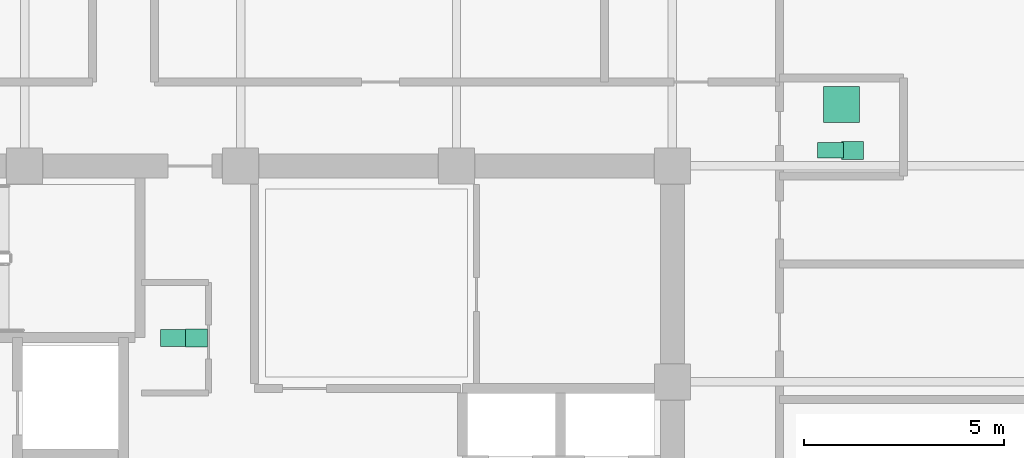
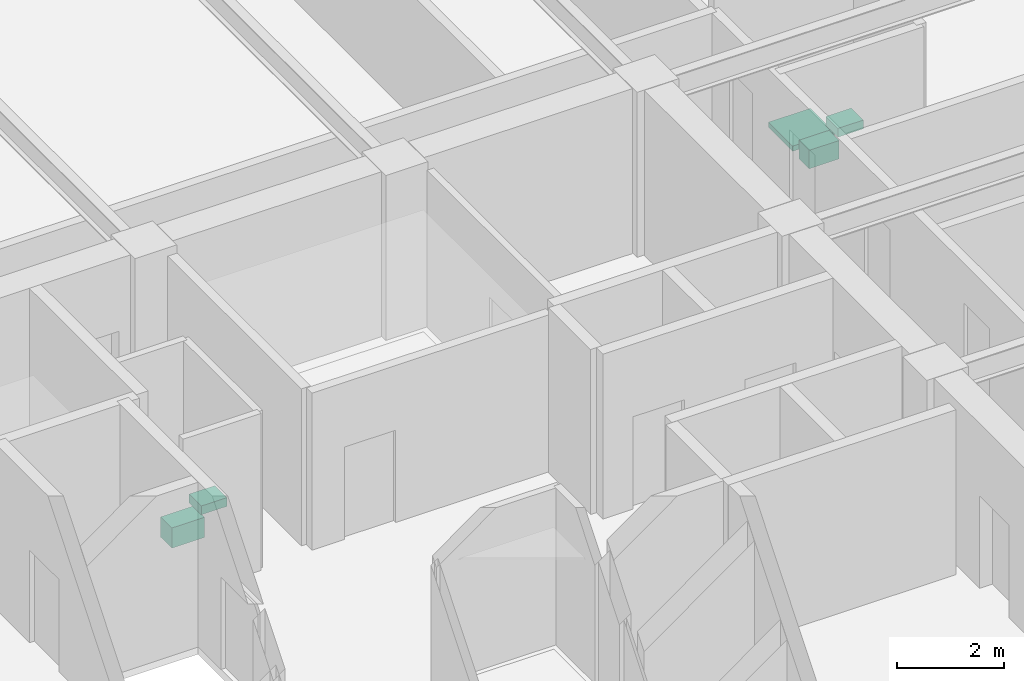
# One storey, part 32 of 32: 5 sanitary terminals.
"""IFC4 building model written with IfcOpenShell, lengths in metres."""

from ifc_helpers import new_model, si_unit, direction, frame, origin, origin_2d, place, context, subcontext, project, spatial, rectangle, extrude, material, type_object, element, save


model = new_model("IFC4")

# Units and contexts
model_context = context("Model", 3, precision=1e-05, world=origin(), true_north=direction((0.0, 1.0)))
body_context = subcontext(model_context, "Body", "Model", "MODEL_VIEW")
ifc_project = project(units=[si_unit("LENGTHUNIT", "METRE"), si_unit("AREAUNIT", "SQUARE_METRE"), si_unit("VOLUMEUNIT", "CUBIC_METRE"), si_unit("PLANEANGLEUNIT", "RADIAN"), si_unit("MASSUNIT", "GRAM", prefix="KILO")], contexts=[model_context])

# Site, building, storey
site_placement = place(None, origin())
site = spatial("IfcSite", under=ifc_project, at=site_placement, CompositionType="ELEMENT")
building_placement = place(site_placement, origin())
building = spatial("IfcBuilding", under=site, at=building_placement, Name="Surkhivell Harbour Commons", CompositionType="ELEMENT")
storey_placement = place(building_placement, frame((0.0, 0.0, 212.25)))
storey = spatial("IfcBuildingStorey", under=building, at=storey_placement, Name="L55", CompositionType="ELEMENT", Elevation=212.25)

# Sanitary terminals
ifc_material_1 = material(Name="Vitreous china washbasin", Category="other")
sanitary_terminal_type_1 = type_object("IfcSanitaryTerminalType", Name="SAN-BSN", PredefinedType="WASHHANDBASIN", material=ifc_material_1)
for number, where, z_axis, x_axis, name in (
    (1, (-1.10009765625, 6.5, 0.72021484375), (0.0, 0.0, 1.0), (1.0, 0.0, 0.0), "L55 Core Accessible WC Washbasin"),
    (2, (15.300048828125, 11.18994140625, 0.72021484375), (0.0, 0.0, 1.0), (1.0, 0.0, 0.0), "L55 East Communal Bathroom WC Washbasin"),
):
    element("IfcSanitaryTerminal", number, at=place(storey_placement, frame(where, z_axis=z_axis, x_axis=x_axis)), inside=storey, type_object=sanitary_terminal_type_1, Name=name, PredefinedType="WASHHANDBASIN", context=body_context, shape_type="SweptSolid", body=[
        extrude(rectangle(XDim=0.550048828125, YDim=0.449951171875, at=origin_2d()), origin(), (0.0, 0.0, 1.0), 0.199951171875),
    ])
ifc_material_2 = material(Name="Glazed porcelain shower tray", Category="other")
sanitary_terminal_type_2 = type_object("IfcSanitaryTerminalType", Name="SAN-SHW", PredefinedType="SHOWER", material=ifc_material_2)
sanitary_terminal_1_placement = place(storey_placement, frame((15.030029296875, 12.330078125, 0.0), z_axis=(0.0, 0.0, 1.0), x_axis=(1.0, 0.0, 0.0)))
element("IfcSanitaryTerminal", 3, at=sanitary_terminal_1_placement, inside=storey, type_object=sanitary_terminal_type_2, Name="L55 East Communal Shower Tray", PredefinedType="SHOWER", context=body_context, shape_type="SweptSolid", body=[
    extrude(rectangle(XDim=0.89990234375, YDim=0.89990234375, at=origin_2d()), origin(), (0.0, 0.0, 1.0), 0.1201171875),
])
ifc_material_3 = material(Name="Vitreous china sanitaryware", Category="other")
sanitary_terminal_type_3 = type_object("IfcSanitaryTerminalType", Name="SAN-WC-ACC", PredefinedType="TOILETPAN", material=ifc_material_3)
sanitary_terminal_2_placement = place(storey_placement, frame((-1.64990234375, 6.5, 0.169921875), z_axis=(0.0, 0.0, 1.0), x_axis=(1.0, 0.0, 0.0)))
element("IfcSanitaryTerminal", 4, at=sanitary_terminal_2_placement, inside=storey, type_object=sanitary_terminal_type_3, Name="L55 Core Accessible WC", PredefinedType="TOILETPAN", context=body_context, shape_type="SweptSolid", body=[
    extrude(rectangle(XDim=0.699951171875, YDim=0.419921875, at=origin_2d()), origin(), (0.0, 0.0, 1.0), 0.4599609375),
])
sanitary_terminal_type_4 = type_object("IfcSanitaryTerminalType", Name="SAN-WC-STD", PredefinedType="TOILETPAN", material=ifc_material_3)
sanitary_terminal_3_placement = place(storey_placement, frame((14.75, 11.18994140625, 0.18994140625), z_axis=(0.0, 0.0, 1.0), x_axis=(1.0, 0.0, 0.0)))
element("IfcSanitaryTerminal", 5, at=sanitary_terminal_3_placement, inside=storey, type_object=sanitary_terminal_type_4, Name="L55 East Communal Bathroom WC", PredefinedType="TOILETPAN", context=body_context, shape_type="SweptSolid", body=[
    extrude(rectangle(XDim=0.64990234375, YDim=0.3798828125, at=origin_2d()), origin(), (0.0, 0.0, 1.0), 0.419921875),
])

save(model, "model.ifc")
